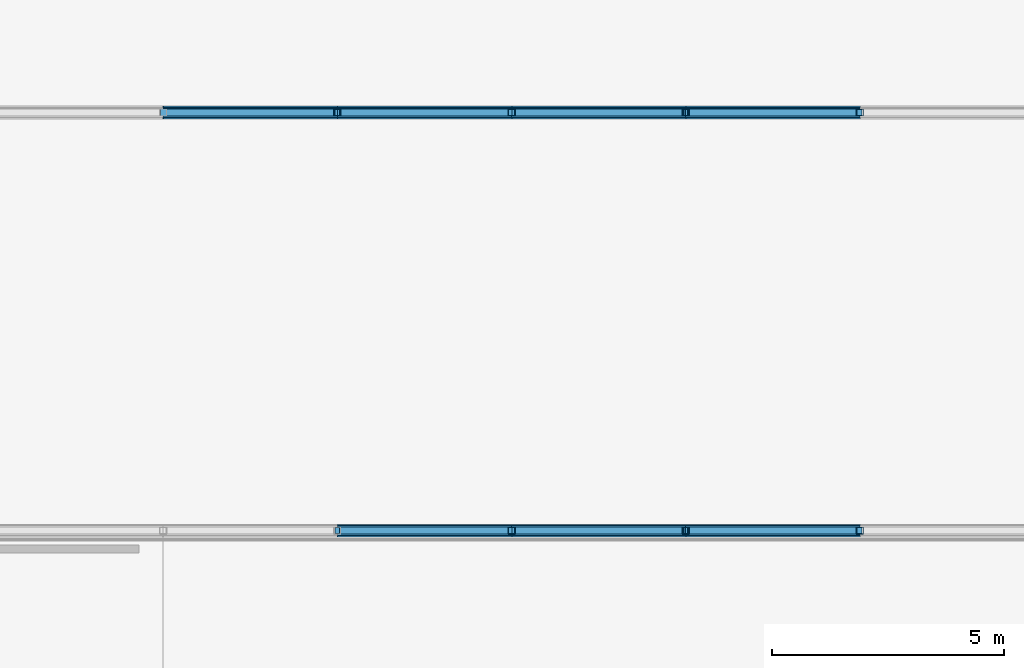
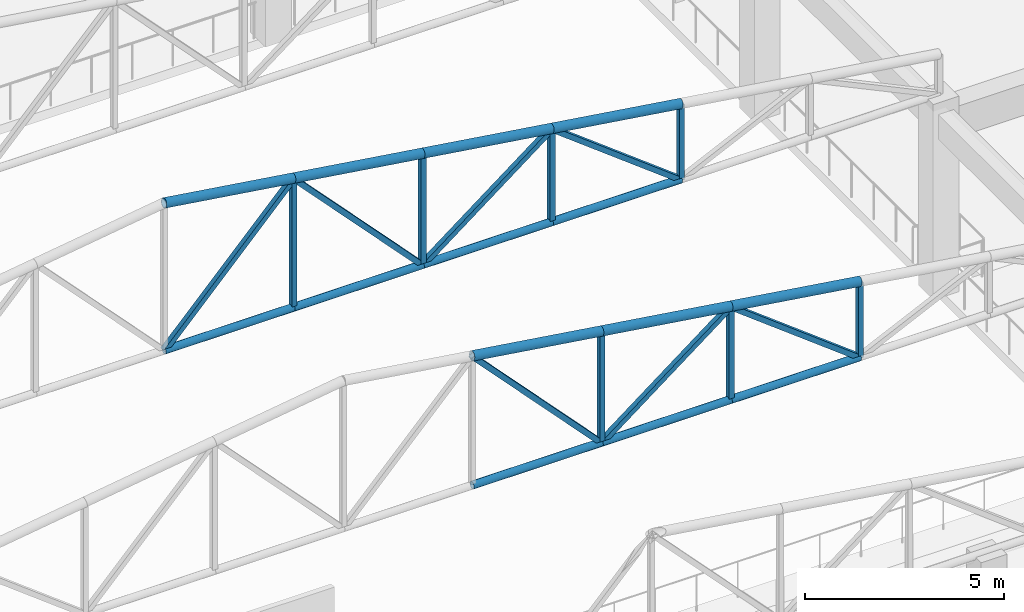
# One storey, part 54 of 223: 28 members.
"""IFC4 building model written with IfcOpenShell, lengths in metres."""

from ifc_helpers import new_model, si_unit, direction, frame, origin, origin_2d, place, context, subcontext, project, spatial, hollow_rectangle, hollow_circle, extrude, material, material_profile, profile_set, type_object, element, save


model = new_model("IFC4")

# Units and contexts
model_context = context("Model", 3, precision=1e-05, world=origin(), true_north=direction((0.0, 1.0)))
body_context = subcontext(model_context, "Body", "Model", "MODEL_VIEW")
ifc_project = project(units=[si_unit("LENGTHUNIT", "METRE"), si_unit("AREAUNIT", "SQUARE_METRE"), si_unit("VOLUMEUNIT", "CUBIC_METRE"), si_unit("PLANEANGLEUNIT", "RADIAN"), si_unit("MASSUNIT", "GRAM", prefix="KILO")], contexts=[model_context])

# Site, building, storey
site_placement = place(None, origin())
site = spatial("IfcSite", under=ifc_project, at=site_placement, CompositionType="ELEMENT")
building_placement = place(site_placement, origin())
building = spatial("IfcBuilding", under=site, at=building_placement, Name="Dornveld Trade and Exhibition Forum", CompositionType="ELEMENT")
storey_placement = place(building_placement, frame((0.0, 0.0, 6.0)))
storey = spatial("IfcBuildingStorey", under=building, at=storey_placement, Name="L01", CompositionType="ELEMENT", Elevation=6.0)

# Members
ifc_material_1 = material(Name="Steel S355J2", Category="steel")
ifc_material_profile_1 = material_profile(ifc_material_1, hollow_rectangle(XDim=0.14990234375, YDim=0.14990234375, WallThickness=0.008056640625, at=origin_2d()), Name="SHS 150x150x8")
ifc_profile_set_1 = profile_set([ifc_material_profile_1], Name="Steel S355J2")
member_type_1 = type_object("IfcMemberType", Name="MEM-ARCH-STR", PredefinedType="STRUT", material=ifc_profile_set_1)
member_1_placement = place(storey_placement, frame((183.0, 18.0, 5.97998046875), z_axis=(0.0, 0.0, 1.0), x_axis=(1.0, 0.0, 0.0)))
element("IfcMember", 1, at=member_1_placement, inside=storey, type_object=member_type_1, Name="Congress roof truss 3 post 9", PredefinedType="STRUT", context=body_context, shape_type="SweptSolid", body=[
    extrude(hollow_rectangle(XDim=0.14990234375, YDim=0.14990234375, WallThickness=0.008056640625, at=origin_2d()), origin(), (0.0, 0.0, 1.0), 3.419921875),
])
member_2_placement = place(storey_placement, frame((186.75, 18.0, 5.97998046875), z_axis=(0.0, 0.0, 1.0), x_axis=(1.0, 0.0, 0.0)))
element("IfcMember", 2, at=member_2_placement, inside=storey, type_object=member_type_1, Name="Congress roof truss 3 post 10", PredefinedType="STRUT", context=body_context, shape_type="SweptSolid", body=[
    extrude(hollow_rectangle(XDim=0.14990234375, YDim=0.14990234375, WallThickness=0.008056640625, at=origin_2d()), origin(), (0.0, 0.0, 1.0), 2.8701171875),
])
member_3_placement = place(storey_placement, frame((190.5, 18.0, 5.97998046875), z_axis=(0.0, 0.0, 1.0), x_axis=(1.0, 0.0, 0.0)))
element("IfcMember", 3, at=member_3_placement, inside=storey, type_object=member_type_1, Name="Congress roof truss 3 post 11", PredefinedType="STRUT", context=body_context, shape_type="SweptSolid", body=[
    extrude(hollow_rectangle(XDim=0.14990234375, YDim=0.14990234375, WallThickness=0.008056640625, at=origin_2d()), origin(), (0.0, 0.0, 1.0), 2.320068359375),
])
member_4_placement = place(storey_placement, frame((179.25, 27.0, 5.97998046875), z_axis=(0.0, 0.0, 1.0), x_axis=(1.0, 0.0, 0.0)))
element("IfcMember", 4, at=member_4_placement, inside=storey, type_object=member_type_1, Name="Congress roof truss 4 post 8", PredefinedType="STRUT", context=body_context, shape_type="SweptSolid", body=[
    extrude(hollow_rectangle(XDim=0.14990234375, YDim=0.14990234375, WallThickness=0.008056640625, at=origin_2d()), origin(), (0.0, 0.0, 1.0), 3.969970703125),
])
member_5_placement = place(storey_placement, frame((183.0, 27.0, 5.97998046875), z_axis=(0.0, 0.0, 1.0), x_axis=(1.0, 0.0, 0.0)))
element("IfcMember", 5, at=member_5_placement, inside=storey, type_object=member_type_1, Name="Congress roof truss 4 post 9", PredefinedType="STRUT", context=body_context, shape_type="SweptSolid", body=[
    extrude(hollow_rectangle(XDim=0.14990234375, YDim=0.14990234375, WallThickness=0.008056640625, at=origin_2d()), origin(), (0.0, 0.0, 1.0), 3.419921875),
])
member_6_placement = place(storey_placement, frame((186.75, 27.0, 5.97998046875), z_axis=(0.0, 0.0, 1.0), x_axis=(1.0, 0.0, 0.0)))
element("IfcMember", 6, at=member_6_placement, inside=storey, type_object=member_type_1, Name="Congress roof truss 4 post 10", PredefinedType="STRUT", context=body_context, shape_type="SweptSolid", body=[
    extrude(hollow_rectangle(XDim=0.14990234375, YDim=0.14990234375, WallThickness=0.008056640625, at=origin_2d()), origin(), (0.0, 0.0, 1.0), 2.8701171875),
])
member_7_placement = place(storey_placement, frame((190.5, 27.0, 5.97998046875), z_axis=(0.0, 0.0, 1.0), x_axis=(1.0, 0.0, 0.0)))
element("IfcMember", 7, at=member_7_placement, inside=storey, type_object=member_type_1, Name="Congress roof truss 4 post 11", PredefinedType="STRUT", context=body_context, shape_type="SweptSolid", body=[
    extrude(hollow_rectangle(XDim=0.14990234375, YDim=0.14990234375, WallThickness=0.008056640625, at=origin_2d()), origin(), (0.0, 0.0, 1.0), 2.320068359375),
])
ifc_material_2 = material(Name="Steel S355J2", Category="steel")
ifc_material_profile_2 = material_profile(ifc_material_2, hollow_circle(Radius=0.109619140625, WallThickness=0.010009765625, at=origin_2d()), Name="CHS 219.1x10")
ifc_profile_set_2 = profile_set([ifc_material_profile_2], Name="Steel S355J2")
member_type_2 = type_object("IfcMemberType", Name="MEM-CONG-BC", PredefinedType="CHORD", material=ifc_profile_set_2)
for number, where, z_axis, x_axis, name in (
    (8, (179.25, 18.0, 5.97998046875), (1.0, 0.0, 0.0), (0.0, 1.0, 0.0), "Congress roof truss 3 bottom chord 8"),
    (9, (183.0, 18.0, 5.97998046875), (1.0, 0.0, 0.0), (0.0, 1.0, 0.0), "Congress roof truss 3 bottom chord 9"),
    (10, (186.75, 18.0, 5.97998046875), (1.0, 0.0, 0.0), (0.0, 1.0, 0.0), "Congress roof truss 3 bottom chord 10"),
    (11, (175.5, 27.0, 5.97998046875), (1.0, 0.0, 0.0), (0.0, 1.0, 0.0), "Congress roof truss 4 bottom chord 7"),
    (12, (179.25, 27.0, 5.97998046875), (1.0, 0.0, 0.0), (0.0, 1.0, 0.0), "Congress roof truss 4 bottom chord 8"),
    (13, (183.0, 27.0, 5.97998046875), (1.0, 0.0, 0.0), (0.0, 1.0, 0.0), "Congress roof truss 4 bottom chord 9"),
    (14, (186.75, 27.0, 5.97998046875), (1.0, 0.0, 0.0), (0.0, 1.0, 0.0), "Congress roof truss 4 bottom chord 10"),
):
    element("IfcMember", number, at=place(storey_placement, frame(where, z_axis=z_axis, x_axis=x_axis)), inside=storey, type_object=member_type_2, Name=name, PredefinedType="CHORD", context=body_context, shape_type="SweptSolid", body=[
        extrude(hollow_circle(Radius=0.109619140625, WallThickness=0.010009765625, at=origin_2d()), origin(), (0.0, 0.0, 1.0), 3.75),
    ])
ifc_material_3 = material(Name="Steel S355J2", Category="steel")
ifc_material_profile_3 = material_profile(ifc_material_3, hollow_circle(Radius=0.136474609375, WallThickness=0.012451171875, at=origin_2d()), Name="CHS 273x12.5")
ifc_profile_set_3 = profile_set([ifc_material_profile_3], Name="Steel S355J2")
member_type_3 = type_object("IfcMemberType", Name="MEM-CONG-TC", PredefinedType="CHORD", material=ifc_profile_set_3)
for number, where, z_axis, x_axis, name in (
    (15, (179.25, 18.0, 9.949951171875), (0.989413064489, 0.0, -0.145126799108), (0.0, 1.0, 0.0), "Congress roof truss 3 top chord 8"),
    (16, (183.0, 18.0, 9.39990234375), (0.989422311926, 0.0, -0.145063740004), (0.0, 1.0, 0.0), "Congress roof truss 3 top chord 9"),
    (17, (186.75, 18.0, 8.85009765625), (0.989413064489, 0.0, -0.145126799108), (0.0, 1.0, 0.0), "Congress roof truss 3 top chord 10"),
    (18, (175.5, 27.0, 10.5), (0.989413064489, 0.0, -0.145126799108), (0.0, 1.0, 0.0), "Congress roof truss 4 top chord 7"),
    (19, (179.25, 27.0, 9.949951171875), (0.989413064489, 0.0, -0.145126799108), (0.0, 1.0, 0.0), "Congress roof truss 4 top chord 8"),
    (20, (183.0, 27.0, 9.39990234375), (0.989422311926, 0.0, -0.145063740004), (0.0, 1.0, 0.0), "Congress roof truss 4 top chord 9"),
    (21, (186.75, 27.0, 8.85009765625), (0.989413064489, 0.0, -0.145126799108), (0.0, 1.0, 0.0), "Congress roof truss 4 top chord 10"),
):
    element("IfcMember", number, at=place(storey_placement, frame(where, z_axis=z_axis, x_axis=x_axis)), inside=storey, type_object=member_type_3, Name=name, PredefinedType="CHORD", context=body_context, shape_type="SweptSolid", body=[
        extrude(hollow_circle(Radius=0.136474609375, WallThickness=0.012451171875, at=origin_2d()), origin(), (0.0, 0.0, 1.0), 3.7900390625),
    ])
ifc_material_4 = material(Name="Steel S355J2", Category="steel")
ifc_material_profile_4 = material_profile(ifc_material_4, hollow_rectangle(XDim=0.14990234375, YDim=0.14990234375, WallThickness=0.008056640625, at=origin_2d()), Name="SHS 150x150x8")
ifc_profile_set_4 = profile_set([ifc_material_profile_4], Name="Steel S355J2")
member_type_4 = type_object("IfcMemberType", Name="MEM-CONG-WEB", PredefinedType="BRACE", material=ifc_profile_set_4)
member_8_placement = place(storey_placement, frame((183.0, 18.0, 5.97998046875), z_axis=(-0.686679978257, 0.0, 0.72695983896), x_axis=(0.0, -1.0, 0.0)))
element("IfcMember", 22, at=member_8_placement, inside=storey, type_object=member_type_4, Name="Congress roof truss 3 web 8", PredefinedType="BRACE", context=body_context, shape_type="SweptSolid", body=[
    extrude(hollow_rectangle(XDim=0.14990234375, YDim=0.14990234375, WallThickness=0.008056640625, at=origin_2d()), origin(), (0.0, 0.0, 1.0), 5.4609375),
])
for number, where, z_axis, x_axis, name in (
    (23, (183.0, 18.0, 5.97998046875), (0.794105362147, 0.0, 0.607780119623), (0.0, 1.0, 0.0), "Congress roof truss 3 web 9"),
    (24, (190.5, 18.0, 5.97998046875), (-0.794105362147, 0.0, 0.607780119623), (0.0, -1.0, 0.0), "Congress roof truss 3 web 10"),
):
    element("IfcMember", number, at=place(storey_placement, frame(where, z_axis=z_axis, x_axis=x_axis)), inside=storey, type_object=member_type_4, Name=name, PredefinedType="BRACE", context=body_context, shape_type="SweptSolid", body=[
        extrude(hollow_rectangle(XDim=0.14990234375, YDim=0.14990234375, WallThickness=0.008056640625, at=origin_2d()), origin(), (0.0, 0.0, 1.0), 4.722412109375),
    ])
for number, where, z_axis, x_axis, name in (
    (25, (175.5, 27.0, 5.97998046875), (0.686679978257, 0.0, 0.72695983896), (0.0, 1.0, 0.0), "Congress roof truss 4 web 7"),
    (26, (183.0, 27.0, 5.97998046875), (-0.686679978257, 0.0, 0.72695983896), (0.0, -1.0, 0.0), "Congress roof truss 4 web 8"),
):
    element("IfcMember", number, at=place(storey_placement, frame(where, z_axis=z_axis, x_axis=x_axis)), inside=storey, type_object=member_type_4, Name=name, PredefinedType="BRACE", context=body_context, shape_type="SweptSolid", body=[
        extrude(hollow_rectangle(XDim=0.14990234375, YDim=0.14990234375, WallThickness=0.008056640625, at=origin_2d()), origin(), (0.0, 0.0, 1.0), 5.4609375),
    ])
for number, where, z_axis, x_axis, name in (
    (27, (183.0, 27.0, 5.97998046875), (0.794105362147, 0.0, 0.607780119623), (0.0, 1.0, 0.0), "Congress roof truss 4 web 9"),
    (28, (190.5, 27.0, 5.97998046875), (-0.794105362147, 0.0, 0.607780119623), (0.0, -1.0, 0.0), "Congress roof truss 4 web 10"),
):
    element("IfcMember", number, at=place(storey_placement, frame(where, z_axis=z_axis, x_axis=x_axis)), inside=storey, type_object=member_type_4, Name=name, PredefinedType="BRACE", context=body_context, shape_type="SweptSolid", body=[
        extrude(hollow_rectangle(XDim=0.14990234375, YDim=0.14990234375, WallThickness=0.008056640625, at=origin_2d()), origin(), (0.0, 0.0, 1.0), 4.722412109375),
    ])

save(model, "model.ifc")
